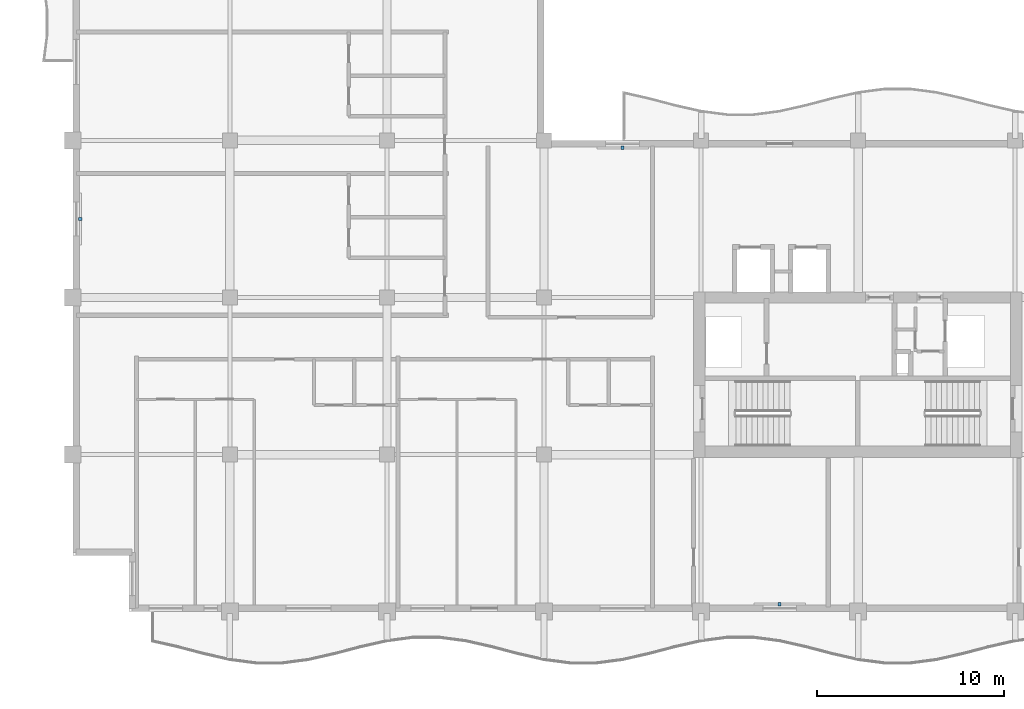
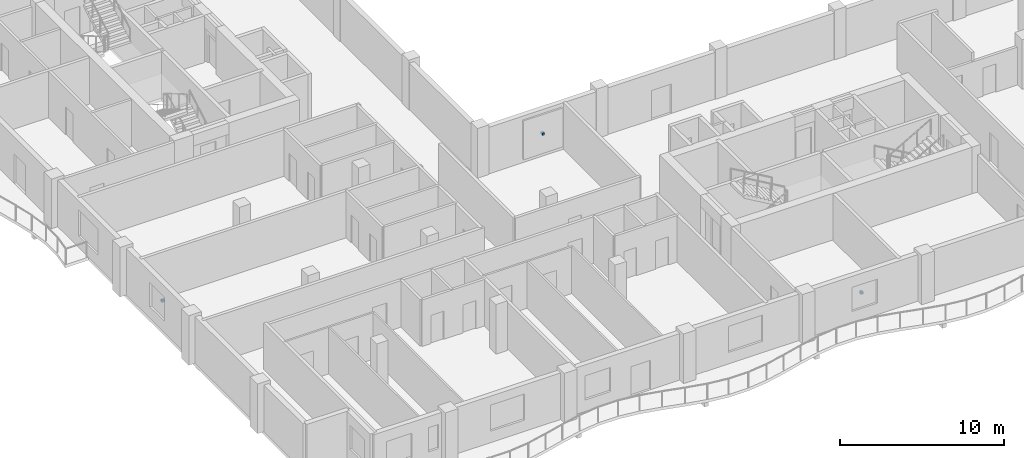
# One storey, part 9 of 12: 3 discrete accessories.
"""IFC4 building model written with IfcOpenShell, lengths in metres."""

from ifc_helpers import new_model, si_unit, direction, frame, origin, origin_2d, place, context, subcontext, project, spatial, rectangle, extrude, material, type_object, element, save


model = new_model("IFC4")

# Units and contexts
model_context = context("Model", 3, precision=1e-05, world=origin(), true_north=direction((0.0, 1.0)))
body_context = subcontext(model_context, "Body", "Model", "MODEL_VIEW")
ifc_project = project(units=[si_unit("LENGTHUNIT", "METRE"), si_unit("AREAUNIT", "SQUARE_METRE"), si_unit("VOLUMEUNIT", "CUBIC_METRE"), si_unit("PLANEANGLEUNIT", "RADIAN"), si_unit("MASSUNIT", "GRAM", prefix="KILO")], contexts=[model_context])

# Site, building, storey
site_placement = place(None, origin())
site = spatial("IfcSite", under=ifc_project, at=site_placement, CompositionType="ELEMENT")
building_placement = place(site_placement, origin())
building = spatial("IfcBuilding", under=site, at=building_placement, Name="Koriwani Terraces Tower", CompositionType="ELEMENT")
storey_placement = place(building_placement, frame((0.0, 0.0, 263.800048828125)))
storey = spatial("IfcBuildingStorey", under=building, at=storey_placement, Name="L65", CompositionType="ELEMENT", Elevation=263.800048828125)

# Discrete accessories
ifc_material = material(Name="Steel ASTM A572 Grade 50", Category="steel")
discrete_accessory_type = type_object("IfcDiscreteAccessoryType", Name="BAGUETTE_STANDOFF_BRACKET", PredefinedType="BRACKET", material=ifc_material)
for number, where, z_axis, x_axis, name in (
    (1, (8.7900390625, 29.39990234375, 1.64501953125), (0.0, 0.0, 1.0), (0.0, 1.0, 0.0), "L65 Terracotta Baguette Bracket (W-6)"),
    (2, (37.800048828125, 33.2099609375, 1.64501953125), (0.0, 0.0, 1.0), (1.0, 0.0, 0.0), "L65 Terracotta Baguette Bracket (NE-2)"),
    (3, (46.199951171875, 8.7900390625, 1.64501953125), (0.0, 0.0, 1.0), (-1.0, 0.0, 0.0), "L65 Terracotta Baguette Bracket (S-12)"),
):
    element("IfcDiscreteAccessory", number, at=place(storey_placement, frame(where, z_axis=z_axis, x_axis=x_axis)), inside=storey, type_object=discrete_accessory_type, Name=name, PredefinedType="BRACKET", context=body_context, shape_type="SweptSolid", body=[
        extrude(rectangle(XDim=0.159912109375, YDim=0.199951171875, at=origin_2d()), origin(), (0.0, 0.0, 1.0), 0.179931640625),
    ])

save(model, "model.ifc")
